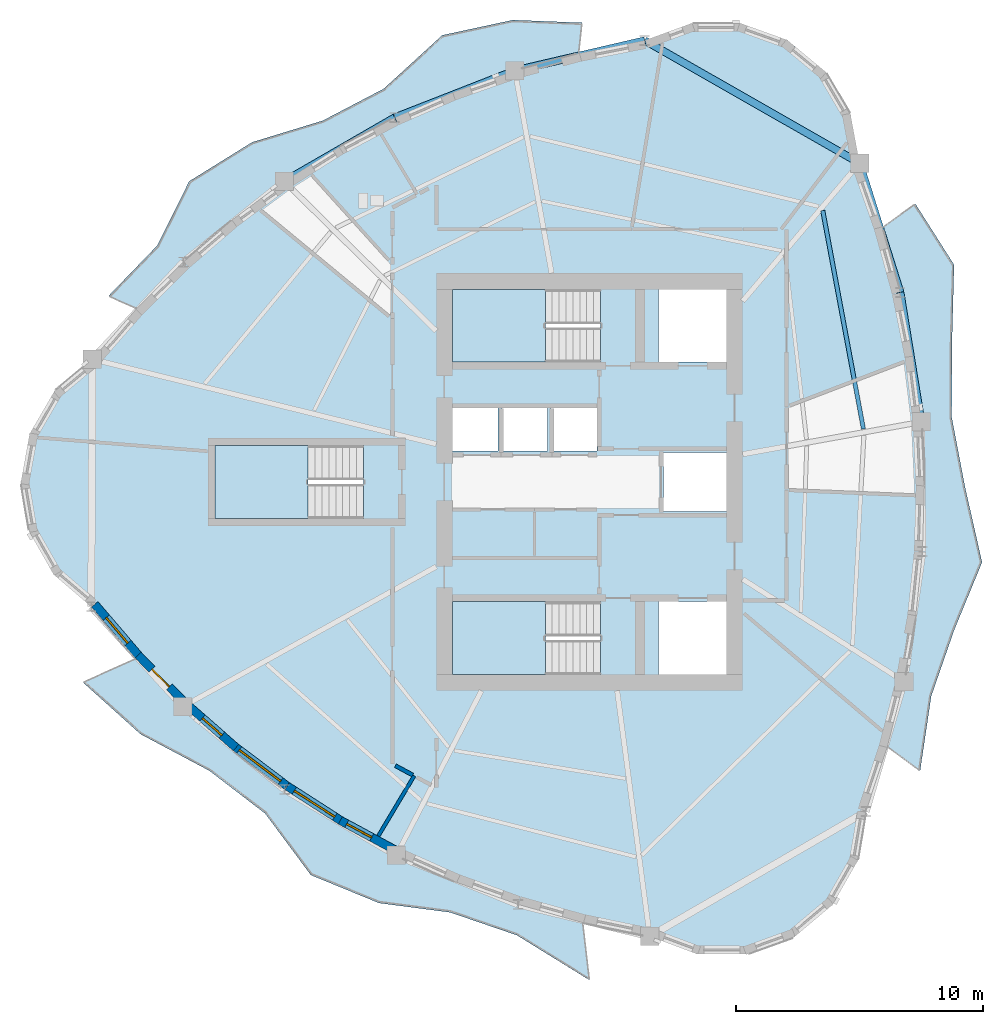
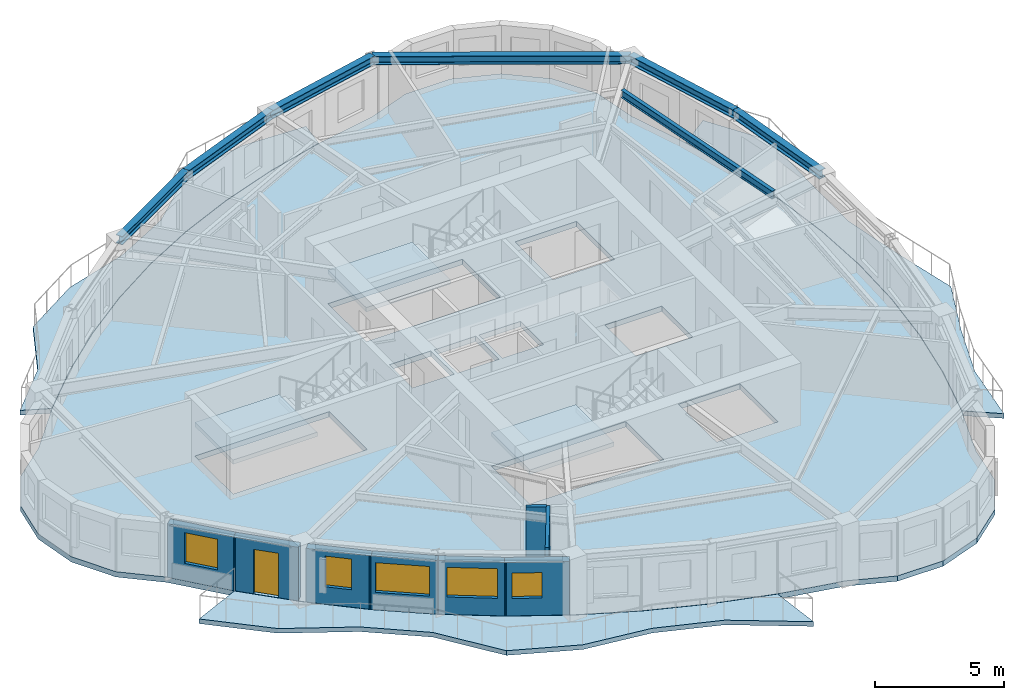
# One storey, part 2 of 11: 8 walls, 7 beams, 7 slabs, 5 windows, 1 door, 6 openings, 3 elements without a shape of their own.
"""IFC4 building model written with IfcOpenShell, lengths in metres."""

from ifc_helpers import new_model, si_unit, direction, frame, frame_2d, origin, origin_2d, place, context, subcontext, project, spatial, polyline, rectangle, i_section, outline, extrude, source, transform, mapped, material, layer, layer_set, material_profile, profile_set, type_object, element, fill, aggregate, save


model = new_model("IFC4")

# Units and contexts
model_context = context("Model", 3, precision=1e-05, world=origin(), true_north=direction((0.0, 1.0)))
body_context = subcontext(model_context, "Body", "Model", "MODEL_VIEW")
ifc_project = project(units=[si_unit("LENGTHUNIT", "METRE"), si_unit("AREAUNIT", "SQUARE_METRE"), si_unit("VOLUMEUNIT", "CUBIC_METRE"), si_unit("PLANEANGLEUNIT", "RADIAN"), si_unit("MASSUNIT", "GRAM", prefix="KILO")], contexts=[model_context])

# Site, building, storey
site_placement = place(None, origin())
site = spatial("IfcSite", under=ifc_project, at=site_placement, CompositionType="ELEMENT")
building_placement = place(site_placement, origin())
building = spatial("IfcBuilding", under=site, at=building_placement, Name="Qafzar Sky-Pleat Residences", CompositionType="ELEMENT")
storey_placement = place(building_placement, frame((0.0, 0.0, 168.199951171875)))
storey = spatial("IfcBuildingStorey", under=building, at=storey_placement, Name="L50", CompositionType="ELEMENT", Elevation=168.199951171875)

# Beams
ifc_material_1 = material(Name="Steel S355", Category="steel")
ifc_material_profile_1 = material_profile(ifc_material_1, i_section(OverallWidth=0.300048828125, OverallDepth=0.39990234375, WebThickness=0.013427734375, FlangeThickness=0.02392578125, FilletRadius=0.027099609375, at=origin_2d()), Name="HEB 400")
ifc_profile_set_1 = profile_set([ifc_material_profile_1], Name="Steel S355")
beam_type_1 = type_object("IfcBeamType", Name="BM-SPAN-HEB400", PredefinedType="SPANDREL", material=ifc_profile_set_1)
shared_shape_1 = source(origin(), body_context, "Body", "SweptSolid", [
    extrude(i_section(OverallWidth=0.300048828125, OverallDepth=0.39990234375, WebThickness=0.013427734375, FlangeThickness=0.02392578125, FilletRadius=0.027099609375, at=origin_2d()), origin(), (0.0, 0.0, 1.0), 10.017578125),
])
beam_1_placement = place(storey_placement, frame((41.28369140625, 38.907470703125, 2.748046875), z_axis=(-0.868435045366, 0.495802956809, 0.0), x_axis=(-0.495802956809, -0.868435045366, 0.0)))
element("IfcBeam", 1, at=beam_1_placement, inside=storey, type_object=beam_type_1, Name="L50 Perimeter Spandrel Beam 13", PredefinedType="SPANDREL", context=body_context, shape_type="MappedRepresentation", body=[
    mapped(shared_shape_1, transform((0.0, 0.0, 0.0), x_axis=(1.0, 0.0, 0.0), y_axis=(0.0, 1.0, 0.0), z_axis=(0.0, 0.0, 1.0), scale=1.0)),
])
shared_shape_2 = source(origin(), body_context, "Body", "SweptSolid", [
    extrude(i_section(OverallWidth=0.300048828125, OverallDepth=0.39990234375, WebThickness=0.013427734375, FlangeThickness=0.02392578125, FilletRadius=0.027099609375, at=origin_2d()), origin(), (0.0, 0.0, 1.0), 5.3115234375),
])
beam_2_placement = place(storey_placement, frame((43.77978515625, 28.428955078125, 2.748046875), z_axis=(-0.159820586454, 0.987146078423, 0.0), x_axis=(-0.987146078423, -0.159820586454, 0.0)))
element("IfcBeam", 2, at=beam_2_placement, inside=storey, type_object=beam_type_1, Name="L50 Perimeter Spandrel Beam 11", PredefinedType="SPANDREL", context=body_context, shape_type="MappedRepresentation", body=[
    mapped(shared_shape_2, transform((0.0, 0.0, 0.0), x_axis=(1.0, 0.0, 0.0), y_axis=(0.0, 1.0, 0.0), z_axis=(0.0, 0.0, 1.0), scale=1.0)),
])
shared_shape_3 = source(origin(), body_context, "Body", "SweptSolid", [
    extrude(i_section(OverallWidth=0.300048828125, OverallDepth=0.39990234375, WebThickness=0.013427734375, FlangeThickness=0.02392578125, FilletRadius=0.027099609375, at=origin_2d()), origin(), (0.0, 0.0, 1.0), 5.48828125),
])
beam_3_placement = place(storey_placement, frame((42.930908203125, 33.672119140625, 2.748046875), z_axis=(-0.300128479556, 0.953898786958, 0.0), x_axis=(-0.953898786958, -0.300128479556, 0.0)))
element("IfcBeam", 3, at=beam_3_placement, inside=storey, type_object=beam_type_1, Name="L50 Perimeter Spandrel Beam 12", PredefinedType="SPANDREL", context=body_context, shape_type="MappedRepresentation", body=[
    mapped(shared_shape_3, transform((0.0, 0.0, 0.0), x_axis=(1.0, 0.0, 0.0), y_axis=(0.0, 1.0, 0.0), z_axis=(0.0, 0.0, 1.0), scale=1.0)),
])
shared_shape_4 = source(origin(), body_context, "Body", "SweptSolid", [
    extrude(i_section(OverallWidth=0.300048828125, OverallDepth=0.39990234375, WebThickness=0.013427734375, FlangeThickness=0.02392578125, FilletRadius=0.027099609375, at=origin_2d()), origin(), (0.0, 0.0, 1.0), 5.39599609375),
])
beam_4_placement = place(storey_placement, frame((32.583984375, 43.874267578125, 2.748046875), z_axis=(-0.974013133864, -0.226491534194, 0.0), x_axis=(0.226491534194, -0.974013133864, 0.0)))
element("IfcBeam", 4, at=beam_4_placement, inside=storey, type_object=beam_type_1, Name="L50 Perimeter Spandrel Beam 14", PredefinedType="SPANDREL", context=body_context, shape_type="MappedRepresentation", body=[
    mapped(shared_shape_4, transform((0.0, 0.0, 0.0), x_axis=(1.0, 0.0, 0.0), y_axis=(0.0, 1.0, 0.0), z_axis=(0.0, 0.0, 1.0), scale=1.0)),
])
shared_shape_5 = source(origin(), body_context, "Body", "SweptSolid", [
    extrude(i_section(OverallWidth=0.300048828125, OverallDepth=0.39990234375, WebThickness=0.013427734375, FlangeThickness=0.02392578125, FilletRadius=0.027099609375, at=origin_2d()), origin(), (0.0, 0.0, 1.0), 5.22216796875),
])
beam_5_placement = place(storey_placement, frame((27.328125, 42.652099609375, 2.748046875), z_axis=(-0.931324838412, -0.364189573376, 0.0), x_axis=(0.364189573376, -0.931324838412, 0.0)))
element("IfcBeam", 5, at=beam_5_placement, inside=storey, type_object=beam_type_1, Name="L50 Perimeter Spandrel Beam 15", PredefinedType="SPANDREL", context=body_context, shape_type="MappedRepresentation", body=[
    mapped(shared_shape_5, transform((0.0, 0.0, 0.0), x_axis=(1.0, 0.0, 0.0), y_axis=(0.0, 1.0, 0.0), z_axis=(0.0, 0.0, 1.0), scale=1.0)),
])
shared_shape_6 = source(origin(), body_context, "Body", "SweptSolid", [
    extrude(i_section(OverallWidth=0.300048828125, OverallDepth=0.39990234375, WebThickness=0.013427734375, FlangeThickness=0.02392578125, FilletRadius=0.027099609375, at=origin_2d()), origin(), (0.0, 0.0, 1.0), 5.162841796875),
])
beam_6_placement = place(storey_placement, frame((22.464599609375, 40.750244140625, 2.748046875), z_axis=(-0.866005243274, -0.500034917402, 0.0), x_axis=(0.500034917402, -0.866005243274, 0.0)))
element("IfcBeam", 6, at=beam_6_placement, inside=storey, type_object=beam_type_1, Name="L50 Perimeter Spandrel Beam 16", PredefinedType="SPANDREL", context=body_context, shape_type="MappedRepresentation", body=[
    mapped(shared_shape_6, transform((0.0, 0.0, 0.0), x_axis=(1.0, 0.0, 0.0), y_axis=(0.0, 1.0, 0.0), z_axis=(0.0, 0.0, 1.0), scale=1.0)),
])
ifc_material_profile_2 = material_profile(ifc_material_1, i_section(OverallWidth=0.169921875, OverallDepth=0.360107421875, WebThickness=0.008056640625, FlangeThickness=0.0126953125, FilletRadius=0.01806640625, at=origin_2d()), Name="IPE 360")
ifc_profile_set_2 = profile_set([ifc_material_profile_2], Name="Steel S355")
beam_type_2 = type_object("IfcBeamType", Name="BM-JST-IPE360", PredefinedType="JOIST", material=ifc_profile_set_2)
shared_shape_7 = source(origin(), body_context, "Body", "SweptSolid", [
    extrude(i_section(OverallWidth=0.169921875, OverallDepth=0.360107421875, WebThickness=0.008056640625, FlangeThickness=0.0126953125, FilletRadius=0.01806640625, at=origin_2d()), origin(), (0.0, 0.0, 1.0), 8.995361328125),
])
beam_7_placement = place(storey_placement, frame((41.44140625, 28.143310546875, 2.76806640625), z_axis=(-0.183170844202, 0.983081096265, 0.0), x_axis=(-0.983081096265, -0.183170844202, 0.0)))
element("IfcBeam", 7, at=beam_7_placement, inside=storey, type_object=beam_type_2, Name="L50 Outer Secondary Floor Joist 6", PredefinedType="JOIST", context=body_context, shape_type="MappedRepresentation", body=[
    mapped(shared_shape_7, transform((0.0, 0.0, 0.0), x_axis=(1.0, 0.0, 0.0), y_axis=(0.0, 1.0, 0.0), z_axis=(0.0, 0.0, 1.0), scale=1.0)),
])

# Slabs
ifc_material_2 = material(Name="Concrete C40/50", Category="concrete")
ifc_layer_1 = layer(ifc_material_2, 0.219970703125)
ifc_layer_set_1 = layer_set([ifc_layer_1], Name="Concrete C40/50")
slab_type_1 = type_object("IfcSlabType", Name="SLAB-BAL-220", PredefinedType="USERDEFINED", material=ifc_layer_set_1)
slab_1_placement = place(storey_placement, frame((0.0, 0.0, -0.219970703125)))
element("IfcSlab", 8, at=slab_1_placement, inside=storey, type_object=slab_type_1, Name="L50 Pleated Stone Balcony 1", ObjectType="BALCONY", PredefinedType="USERDEFINED", context=body_context, shape_type="SweptSolid", body=[
    extrude(outline(polyline([(43.093994140625, 17.913818359375), (43.568115234375, 20.545654296875), (43.842529296875, 23.17578125), (43.9169921875, 25.80419921875), (43.791748046875, 28.4306640625), (43.466552734375, 31.05517578125), (42.94140625, 33.677490234375), (42.216796875, 36.297607421875), (43.543212890625, 37.258544921875), (45.110107421875, 34.791748046875), (45.0234375, 31.56396484375), (45.015380859375, 28.619140625), (45.554931640625, 25.7841796875), (46.24267578125, 22.748046875), (45.114013671875, 20.004150390625), (44.185302734375, 17.3291015625), (43.734619140625, 14.302734375), (42.420166015625, 15.280029296875), (43.093994140625, 17.913818359375)])), origin(), (0.0, 0.0, 1.0), 0.219970703125),
])
slab_2_placement = place(storey_placement, frame((0.0, 0.0, -0.219970703125)))
element("IfcSlab", 9, at=slab_2_placement, inside=storey, type_object=slab_type_1, Name="L50 Pleated Stone Balcony 2", ObjectType="BALCONY", PredefinedType="USERDEFINED", context=body_context, shape_type="SweptSolid", body=[
    extrude(outline(polyline([(27.32763671875, 42.6640625), (24.844970703125, 41.7978515625), (22.46044921875, 40.761474609375), (20.174072265625, 39.554931640625), (17.986083984375, 38.177978515625), (15.896240234375, 36.631103515625), (13.90478515625, 34.914306640625), (12.01171875, 33.02734375), (10.87841796875, 33.525390625), (12.8583984375, 35.575927734375), (14.14501953125, 38.16943359375), (16.691650390625, 39.752197265625), (19.55517578125, 40.626953125), (22.025390625, 41.92041015625), (24.388671875, 44.08349609375), (27.24560546875, 44.7001953125), (30.043701171875, 44.590576171875), (29.908203125, 43.35986328125), (27.32763671875, 42.6640625)])), origin(), (0.0, 0.0, 1.0), 0.219970703125),
])
slab_3_placement = place(storey_placement, frame((0.0, 0.0, -0.219970703125)))
element("IfcSlab", 10, at=slab_3_placement, inside=storey, type_object=slab_type_1, Name="L50 Pleated Stone Balcony 3", ObjectType="BALCONY", PredefinedType="USERDEFINED", context=body_context, shape_type="SweptSolid", body=[
    extrude(outline(polyline([(13.88037109375, 16.89892578125), (15.888916015625, 15.13330078125), (17.9990234375, 13.539306640625), (20.2109375, 12.11767578125), (22.5244140625, 10.867919921875), (24.939453125, 9.79052734375), (27.455810546875, 8.885009765625), (30.07373046875, 8.15185546875), (30.3427734375, 5.836669921875), (27.41650390625, 7.647705078125), (24.709716796875, 8.573974609375), (21.8310546875, 8.951416015625), (19.070556640625, 10.0849609375), (17.22412109375, 12.573974609375), (14.96728515625, 14.306396484375), (12.167236328125, 15.794921875), (9.845703125, 17.8857421875), (11.973388671875, 18.8369140625), (13.88037109375, 16.89892578125)])), origin(), (0.0, 0.0, 1.0), 0.219970703125),
])
ifc_layer_2 = layer(ifc_material_2, 0.25)
ifc_layer_set_2 = layer_set([ifc_layer_2], Name="Concrete C40/50")
slab_type_2 = type_object("IfcSlabType", Name="SLAB-FLR-250", PredefinedType="FLOOR", material=ifc_layer_set_2)
slab_4_placement = place(storey_placement, frame((0.0, 0.0, -0.25)))
element("IfcSlab", 11, at=slab_4_placement, inside=storey, type_object=slab_type_2, Name="L50 Structural Floor Slab", PredefinedType="FLOOR", context=body_context, shape_type="SweptSolid", body=[
    extrude(outline(polyline([(10.228515625, 30.96728515625), (8.69140625, 29.6796875), (7.684814453125, 27.945556640625), (7.32861328125, 25.972412109375), (7.66552734375, 23.995849609375), (8.655517578125, 22.252197265625), (10.179931640625, 20.94970703125), (11.984619140625, 18.841796875), (13.890380859375, 16.905517578125), (15.897705078125, 15.14111328125), (18.006591796875, 13.548583984375), (20.216796875, 12.128173828125), (22.528564453125, 10.879150390625), (24.941650390625, 9.80224609375), (27.456298828125, 8.897216796875), (30.072265625, 8.163818359375), (32.789794921875, 7.602294921875), (34.694091796875, 6.8916015625), (36.72705078125, 6.8818359375), (38.63818359375, 7.573974609375), (40.193359375, 8.883056640625), (41.201171875, 10.6484375), (41.5380859375, 12.653076171875), (42.410400390625, 15.287109375), (43.08349609375, 17.91943359375), (43.556884765625, 20.5498046875), (43.830810546875, 23.177978515625), (43.905029296875, 25.804443359375), (43.77978515625, 28.428955078125), (43.455078125, 31.051513671875), (42.930908203125, 33.672119140625), (42.20703125, 36.290771484375), (41.28369140625, 38.907470703125), (40.91796875, 40.87890625), (39.90283203125, 42.60791015625), (38.359619140625, 43.88818359375), (36.47265625, 44.56640625), (34.467529296875, 44.5615234375), (32.583984375, 43.874267578125), (29.906982421875, 43.347900390625), (27.328125, 42.652099609375), (24.847412109375, 41.7861328125), (22.464599609375, 40.750244140625), (20.18017578125, 39.54443359375), (17.99365234375, 38.168701171875), (15.9052734375, 36.623291015625), (13.914794921875, 34.90771484375), (12.022705078125, 33.0224609375), (10.228515625, 30.96728515625)]), holes=[polyline([(30.797119140625, 21.14990234375), (24.800048828125, 21.14990234375), (24.800048828125, 18.199951171875), (30.797119140625, 18.199951171875), (30.797119140625, 21.14990234375)]), polyline([(30.797119140625, 33.800048828125), (24.800048828125, 33.800048828125), (24.800048828125, 30.85009765625), (30.797119140625, 30.85009765625), (30.797119140625, 33.800048828125)]), polyline([(21.197021484375, 27.47509765625), (15.199951171875, 27.47509765625), (15.199951171875, 24.52490234375), (21.197021484375, 24.52490234375), (21.197021484375, 27.47509765625)]), polyline([(24.800048828125, 27.25), (26.64990234375, 27.25), (26.64990234375, 29.050048828125), (24.800048828125, 29.050048828125), (24.800048828125, 27.25)]), polyline([(26.800048828125, 27.25), (28.64990234375, 27.25), (28.64990234375, 29.050048828125), (26.800048828125, 29.050048828125), (26.800048828125, 27.25)]), polyline([(28.800048828125, 27.25), (30.64990234375, 27.25), (30.64990234375, 29.050048828125), (28.800048828125, 29.050048828125), (28.800048828125, 27.25)]), polyline([(33.14990234375, 18.199951171875), (35.89990234375, 18.199951171875), (35.89990234375, 21.14990234375), (33.14990234375, 21.14990234375), (33.14990234375, 18.199951171875)]), polyline([(33.14990234375, 30.85009765625), (35.89990234375, 30.85009765625), (35.89990234375, 33.800048828125), (33.14990234375, 33.800048828125), (33.14990234375, 30.85009765625)]), polyline([(33.35009765625, 24.800048828125), (35.89990234375, 24.800048828125), (35.89990234375, 27.199951171875), (33.35009765625, 27.199951171875), (33.35009765625, 24.800048828125)])]), origin(), (0.0, 0.0, 1.0), 0.25),
])

# Stair, slab
stair_type = type_object("IfcStairType", Name="STAIR-H320", PredefinedType="HALF_TURN_STAIR", material=ifc_material_2)
stair_1_placement = place(storey_placement, origin())
stair_1 = element("IfcStair", 12, at=stair_1_placement, inside=storey, type_object=stair_type, Name="L50 Protected Exit Stair ST1", PredefinedType="HALF_TURN_STAIR")
ifc_layer_3 = layer(ifc_material_2, 0.199951171875)
ifc_layer_set_3 = layer_set([ifc_layer_3], Name="Concrete C40/50")
slab_type_3 = type_object("IfcSlabType", Name="SLAB-LANDING-200", PredefinedType="LANDING", material=ifc_layer_set_3)
slab_5_placement = place(storey_placement, frame((0.0, 0.0, 1.400146484375)))
slab_5 = element("IfcSlab", 13, at=slab_5_placement, type_object=slab_type_3, Name="ST1 landing 1", PredefinedType="LANDING", context=body_context, shape_type="SweptSolid", body=[
    extrude(outline(polyline([(28.56005859375, 21.14990234375), (24.800048828125, 21.14990234375), (24.800048828125, 18.199951171875), (28.56005859375, 18.199951171875), (28.56005859375, 21.14990234375)])), origin(), (0.0, 0.0, 1.0), 0.199951171875),
])
aggregate(stair_1, [slab_5])

stair_2_placement = place(storey_placement, origin())
stair_2 = element("IfcStair", 14, at=stair_2_placement, inside=storey, type_object=stair_type, Name="L50 Protected Exit Stair ST2", PredefinedType="HALF_TURN_STAIR")
slab_6_placement = place(storey_placement, frame((0.0, 0.0, 1.400146484375)))
slab_6 = element("IfcSlab", 15, at=slab_6_placement, type_object=slab_type_3, Name="ST2 landing 1", PredefinedType="LANDING", context=body_context, shape_type="SweptSolid", body=[
    extrude(outline(polyline([(28.56005859375, 33.800048828125), (24.800048828125, 33.800048828125), (24.800048828125, 30.85009765625), (28.56005859375, 30.85009765625), (28.56005859375, 33.800048828125)])), origin(), (0.0, 0.0, 1.0), 0.199951171875),
])
aggregate(stair_2, [slab_6])

stair_3_placement = place(storey_placement, origin())
stair_3 = element("IfcStair", 16, at=stair_3_placement, inside=storey, type_object=stair_type, Name="L50 Protected Exit Stair ST3", PredefinedType="HALF_TURN_STAIR")
slab_7_placement = place(storey_placement, frame((0.0, 0.0, 1.400146484375)))
slab_7 = element("IfcSlab", 17, at=slab_7_placement, type_object=slab_type_3, Name="ST3 landing 1", PredefinedType="LANDING", context=body_context, shape_type="SweptSolid", body=[
    extrude(outline(polyline([(18.9599609375, 27.47509765625), (15.199951171875, 27.47509765625), (15.199951171875, 24.52490234375), (18.9599609375, 24.52490234375), (18.9599609375, 27.47509765625)])), origin(), (0.0, 0.0, 1.0), 0.199951171875),
])
aggregate(stair_3, [slab_7])

# Walls
ifc_material_3 = material(Name="Acoustic gypsum plasterboard partition", Category="gypsum")
ifc_layer_4 = layer(ifc_material_3, 0.159912109375)
ifc_layer_set_4 = layer_set([ifc_layer_4], Name="Acoustic gypsum plasterboard partition")
wall_type_1 = type_object("IfcWallType", Name="PART-COR-160", PredefinedType="PARTITIONING", material=ifc_layer_set_4)
wall_1_placement = place(storey_placement, frame((22.4951171875, 14.511474609375, 0.0), z_axis=(0.0, 0.0, 1.0), x_axis=(0.880144682908, -0.474705526773, 0.0)))
element("IfcWall", 18, at=wall_1_placement, inside=storey, type_object=wall_type_1, Name="L50 Partition Wall PART-L50-PW-026", PredefinedType="PARTITIONING", context=body_context, shape_type="SweptSolid", body=[
    extrude(rectangle(XDim=0.79296875, YDim=0.159912109375, at=frame_2d((0.396484375, 0.0))), origin(), (0.0, 0.0, 1.0), 2.949951171875),
])
ifc_layer_5 = layer(ifc_material_3, 0.14501953125)
ifc_layer_set_5 = layer_set([ifc_layer_5], Name="Acoustic gypsum plasterboard partition")
wall_type_2 = type_object("IfcWallType", Name="PART-UNIT-145", PredefinedType="PARTITIONING", material=ifc_layer_set_5)
wall_2_placement = place(storey_placement, frame((21.8037109375, 11.669921875, 0.0), z_axis=(0.0, 0.0, 1.0), x_axis=(0.512135491123, 0.858904673833, 0.0)))
element("IfcWall", 19, at=wall_2_placement, inside=storey, type_object=wall_type_2, Name="L50 Partition Wall PART-L50-PW-020", PredefinedType="PARTITIONING", context=body_context, shape_type="SweptSolid", body=[
    extrude(rectangle(XDim=2.83154296875, YDim=0.14501953125, at=frame_2d((1.415771484375, 0.0))), origin(), (0.0, 0.0, 1.0), 2.949951171875),
])

# Wall, opening, window
ifc_material_4 = material(Name="Precast concrete C40/50 with honed Riyadh limestone", Category="concrete")
ifc_layer_6 = layer(ifc_material_4, 0.340087890625)
ifc_layer_set_6 = layer_set([ifc_layer_6], Name="Precast concrete C40/50 with honed Riyadh limestone")
wall_type_3 = type_object("IfcWallType", Name="WALL-EXT-340", PredefinedType="SOLIDWALL", material=ifc_layer_set_6)
wall_3_placement = place(storey_placement, frame((10.322265625, 21.045166015625, 0.0), z_axis=(0.0, 0.0, 1.0), x_axis=(0.650265710861, -0.759706854832, 0.0)))
wall_3 = element("IfcWall", 20, at=wall_3_placement, inside=storey, type_object=wall_type_3, Name="L50 Limestone Facade Wall 7", PredefinedType="SOLIDWALL", context=body_context, shape_type="SweptSolid", body=[
    extrude(rectangle(XDim=2.79296875, YDim=0.340087890625, at=frame_2d((1.396484375, 0.0))), origin(), (0.0, 0.0, 1.0), 2.530029296875),
])
opening_1_placement = place(wall_3_placement, frame((0.71142578125, 0.0, 0.820068359375)))
opening_1 = element("IfcOpeningElement", 21, at=opening_1_placement, cuts=wall_3, Name="Opening WN-04", PredefinedType="OPENING", context=body_context, shape_type="SweptSolid", body=[
    extrude(rectangle(XDim=1.35009765625, YDim=1.449951171875, at=frame_2d((0.675048828125, 0.72509765625))), frame((0.0, 0.18017578125, 0.0), z_axis=(0.0, -1.0, 0.0), x_axis=(1.0, 0.0, 0.0)), (0.0, 0.0, 1.0), 0.360107421875),
])
ifc_material_5 = material(Name="Solar-control low-E glass in bronze aluminium frame", Category="glass")
window_type_1 = type_object("IfcWindowType", Name="WIN-04", PartitioningType="SINGLE_PANEL", PredefinedType="WINDOW", material=ifc_material_5)
shared_shape_8 = source(origin(), body_context, "Body", "SweptSolid", [
    extrude(rectangle(XDim=1.35009765625, YDim=1.449951171875, at=frame_2d((0.675048828125, 0.72509765625))), frame((0.0, 0.030029296875, 0.0), z_axis=(0.0, -1.0, 0.0), x_axis=(1.0, 0.0, 0.0)), (0.0, 0.0, 1.0), 0.06005859375),
])
window_1_placement = place(opening_1_placement, origin())
window_1 = element("IfcWindow", 22, at=window_1_placement, inside=storey, type_object=window_type_1, Name="L50 Punched Facade Window 07", OverallHeight=1.449951171875, OverallWidth=1.35009765625, PartitioningType="SINGLE_PANEL", PredefinedType="WINDOW", context=body_context, shape_type="MappedRepresentation", body=[
    mapped(shared_shape_8, transform((0.0, 0.0, 0.0), x_axis=(1.0, 0.0, 0.0), y_axis=(0.0, 1.0, 0.0), z_axis=(0.0, 0.0, 1.0), scale=1.0)),
])
fill(opening_1, window_1)

# Wall, opening, door
wall_4_placement = place(storey_placement, frame((12.0791015625, 18.988037109375, 0.0), z_axis=(0.0, 0.0, 1.0), x_axis=(0.701497143461, -0.712672265291, 0.0)))
wall_4 = element("IfcWall", 23, at=wall_4_placement, inside=storey, type_object=wall_type_3, Name="L50 Limestone Facade Wall 8", PredefinedType="SOLIDWALL", context=body_context, shape_type="SweptSolid", body=[
    extrude(rectangle(XDim=2.599853515625, YDim=0.340087890625, at=frame_2d((1.2998046875, 0.0))), origin(), (0.0, 0.0, 1.0), 2.530029296875),
])
opening_2_placement = place(wall_4_placement, frame((0.7998046875, 0.0, 0.0)))
opening_2 = element("IfcOpeningElement", 24, at=opening_2_placement, cuts=wall_4, Name="Opening ED-05", PredefinedType="OPENING", context=body_context, shape_type="SweptSolid", body=[
    extrude(rectangle(XDim=1.0, YDim=2.10009765625, at=frame_2d((0.5, 1.050048828125))), frame((0.0, 0.18017578125, 0.0), z_axis=(0.0, -1.0, 0.0), x_axis=(1.0, 0.0, 0.0)), (0.0, 0.0, 1.0), 0.360107421875),
])
ifc_material_6 = material(Name="Glazed bronze aluminium door", Category="aluminium")
door_type = type_object("IfcDoorType", Name="DR-BAL-1000", OperationType="NOTDEFINED", PredefinedType="DOOR", material=ifc_material_6)
shared_shape_9 = source(origin(), body_context, "Body", "SweptSolid", [
    extrude(rectangle(XDim=1.0, YDim=2.10009765625, at=frame_2d((0.5, 1.050048828125))), frame((0.0, 0.02490234375, 0.0), z_axis=(0.0, -1.0, 0.0), x_axis=(1.0, 0.0, 0.0)), (0.0, 0.0, 1.0), 0.050048828125),
])
door_placement = place(opening_2_placement, origin())
door = element("IfcDoor", 25, at=door_placement, inside=storey, type_object=door_type, Name="L50 Glazed Balcony Door 3", OperationType="SINGLE_SWING_LEFT", OverallHeight=2.10009765625, OverallWidth=1.0, PredefinedType="DOOR", context=body_context, shape_type="MappedRepresentation", body=[
    mapped(shared_shape_9, transform((0.0, 0.0, 0.0), x_axis=(1.0, 0.0, 0.0), y_axis=(0.0, 1.0, 0.0), z_axis=(0.0, 0.0, 1.0), scale=1.0)),
])
fill(opening_2, door)

# Wall, opening, window
wall_5_placement = place(storey_placement, frame((14.119140625, 16.930908203125, 0.0), z_axis=(0.0, 0.0, 1.0), x_axis=(0.751118959237, -0.660166879716, 0.0)))
wall_5 = element("IfcWall", 26, at=wall_5_placement, inside=storey, type_object=wall_type_3, Name="L50 Limestone Facade Wall 9", PredefinedType="SOLIDWALL", context=body_context, shape_type="SweptSolid", body=[
    extrude(rectangle(XDim=2.555419921875, YDim=0.340087890625, at=frame_2d((1.27783203125, 0.0))), origin(), (0.0, 0.0, 1.0), 2.530029296875),
])
opening_3_placement = place(wall_5_placement, frame((0.747802734375, 0.0, 0.820068359375)))
opening_3 = element("IfcOpeningElement", 27, at=opening_3_placement, cuts=wall_5, Name="Opening WN-06", PredefinedType="OPENING", context=body_context, shape_type="SweptSolid", body=[
    extrude(rectangle(XDim=1.050048828125, YDim=1.449951171875, at=frame_2d((0.52490234375, 0.72509765625))), frame((0.0, 0.18017578125, 0.0), z_axis=(0.0, -1.0, 0.0), x_axis=(1.0, 0.0, 0.0)), (0.0, 0.0, 1.0), 0.360107421875),
])
window_type_2 = type_object("IfcWindowType", Name="WIN-06", PartitioningType="SINGLE_PANEL", PredefinedType="WINDOW", material=ifc_material_5)
shared_shape_10 = source(origin(), body_context, "Body", "SweptSolid", [
    extrude(rectangle(XDim=1.050048828125, YDim=1.449951171875, at=frame_2d((0.52490234375, 0.72509765625))), frame((0.0, 0.030029296875, 0.0), z_axis=(0.0, -1.0, 0.0), x_axis=(1.0, 0.0, 0.0)), (0.0, 0.0, 1.0), 0.06005859375),
])
window_2_placement = place(opening_3_placement, origin())
window_2 = element("IfcWindow", 28, at=window_2_placement, inside=storey, type_object=window_type_2, Name="L50 Punched Facade Window 09", OverallHeight=1.449951171875, OverallWidth=1.050048828125, PartitioningType="SINGLE_PANEL", PredefinedType="WINDOW", context=body_context, shape_type="MappedRepresentation", body=[
    mapped(shared_shape_10, transform((0.0, 0.0, 0.0), x_axis=(1.0, 0.0, 0.0), y_axis=(0.0, 1.0, 0.0), z_axis=(0.0, 0.0, 1.0), scale=1.0)),
])
fill(opening_3, window_2)

wall_6_placement = place(storey_placement, frame((15.969970703125, 15.2998046875, 0.0), z_axis=(0.0, 0.0, 1.0), x_axis=(0.797969316041, -0.602698075869, 0.0)))
wall_6 = element("IfcWall", 29, at=wall_6_placement, inside=storey, type_object=wall_type_3, Name="L50 Limestone Facade Wall 10", PredefinedType="SOLIDWALL", context=body_context, shape_type="SweptSolid", body=[
    extrude(rectangle(XDim=2.66064453125, YDim=0.340087890625, at=frame_2d((1.330322265625, 0.0))), origin(), (0.0, 0.0, 1.0), 2.530029296875),
])
opening_4_placement = place(wall_6_placement, frame((0.250244140625, 0.0, 0.820068359375)))
opening_4 = element("IfcOpeningElement", 30, at=opening_4_placement, cuts=wall_6, Name="Opening WN-07", PredefinedType="OPENING", context=body_context, shape_type="SweptSolid", body=[
    extrude(rectangle(XDim=2.10009765625, YDim=1.39990234375, at=frame_2d((1.050048828125, 0.699951171875))), frame((0.0, 0.18017578125, 0.0), z_axis=(0.0, -1.0, 0.0), x_axis=(1.0, 0.0, 0.0)), (0.0, 0.0, 1.0), 0.360107421875),
])
window_type_3 = type_object("IfcWindowType", Name="WIN-07", PartitioningType="DOUBLE_PANEL_VERTICAL", PredefinedType="WINDOW", material=ifc_material_5)
shared_shape_11 = source(origin(), body_context, "Body", "SweptSolid", [
    extrude(rectangle(XDim=2.10009765625, YDim=1.39990234375, at=frame_2d((1.050048828125, 0.699951171875))), frame((0.0, 0.030029296875, 0.0), z_axis=(0.0, -1.0, 0.0), x_axis=(1.0, 0.0, 0.0)), (0.0, 0.0, 1.0), 0.06005859375),
])
window_3_placement = place(opening_4_placement, origin())
window_3 = element("IfcWindow", 31, at=window_3_placement, inside=storey, type_object=window_type_3, Name="L50 Punched Facade Window 10", OverallHeight=1.39990234375, OverallWidth=2.10009765625, PartitioningType="SINGLE_PANEL", PredefinedType="WINDOW", context=body_context, shape_type="MappedRepresentation", body=[
    mapped(shared_shape_11, transform((0.0, 0.0, 0.0), x_axis=(1.0, 0.0, 0.0), y_axis=(0.0, 1.0, 0.0), z_axis=(0.0, 0.0, 1.0), scale=1.0)),
])
fill(opening_4, window_3)

wall_7_placement = place(storey_placement, frame((18.115234375, 13.680908203125, 0.0), z_axis=(0.0, 0.0, 1.0), x_axis=(0.841232440507, -0.540673636346, 0.0)))
wall_7 = element("IfcWall", 32, at=wall_7_placement, inside=storey, type_object=wall_type_3, Name="L50 Limestone Facade Wall 11", PredefinedType="SOLIDWALL", context=body_context, shape_type="SweptSolid", body=[
    extrude(rectangle(XDim=2.6455078125, YDim=0.340087890625, at=frame_2d((1.32275390625, 0.0))), origin(), (0.0, 0.0, 1.0), 2.530029296875),
])
opening_5_placement = place(wall_7_placement, frame((0.337646484375, 0.0, 0.820068359375)))
opening_5 = element("IfcOpeningElement", 33, at=opening_5_placement, cuts=wall_7, Name="Opening WN-08", PredefinedType="OPENING", context=body_context, shape_type="SweptSolid", body=[
    extrude(rectangle(XDim=1.949951171875, YDim=1.39990234375, at=frame_2d((0.97509765625, 0.699951171875))), frame((0.0, 0.18017578125, 0.0), z_axis=(0.0, -1.0, 0.0), x_axis=(1.0, 0.0, 0.0)), (0.0, 0.0, 1.0), 0.360107421875),
])
window_type_4 = type_object("IfcWindowType", Name="WIN-08", PartitioningType="DOUBLE_PANEL_VERTICAL", PredefinedType="WINDOW", material=ifc_material_5)
shared_shape_12 = source(origin(), body_context, "Body", "SweptSolid", [
    extrude(rectangle(XDim=1.949951171875, YDim=1.39990234375, at=frame_2d((0.97509765625, 0.699951171875))), frame((0.0, 0.030029296875, 0.0), z_axis=(0.0, -1.0, 0.0), x_axis=(1.0, 0.0, 0.0)), (0.0, 0.0, 1.0), 0.06005859375),
])
window_4_placement = place(opening_5_placement, origin())
window_4 = element("IfcWindow", 34, at=window_4_placement, inside=storey, type_object=window_type_4, Name="L50 Punched Facade Window 11", OverallHeight=1.39990234375, OverallWidth=1.949951171875, PartitioningType="SINGLE_PANEL", PredefinedType="WINDOW", context=body_context, shape_type="MappedRepresentation", body=[
    mapped(shared_shape_12, transform((0.0, 0.0, 0.0), x_axis=(1.0, 0.0, 0.0), y_axis=(0.0, 1.0, 0.0), z_axis=(0.0, 0.0, 1.0), scale=1.0)),
])
fill(opening_5, window_4)

wall_8_placement = place(storey_placement, frame((20.264404296875, 12.295654296875, 0.0), z_axis=(0.0, 0.0, 1.0), x_axis=(0.879776875652, -0.475386841497, 0.0)))
wall_8 = element("IfcWall", 35, at=wall_8_placement, inside=storey, type_object=wall_type_3, Name="L50 Limestone Facade Wall 12", PredefinedType="SOLIDWALL", context=body_context, shape_type="SweptSolid", body=[
    extrude(rectangle(XDim=2.51025390625, YDim=0.340087890625, at=frame_2d((1.255126953125, 0.0))), origin(), (0.0, 0.0, 1.0), 2.530029296875),
])
opening_6_placement = place(wall_8_placement, frame((0.29052734375, 0.0, 0.820068359375)))
opening_6 = element("IfcOpeningElement", 36, at=opening_6_placement, cuts=wall_8, Name="Opening WN-16", PredefinedType="OPENING", context=body_context, shape_type="SweptSolid", body=[
    extrude(rectangle(XDim=1.14990234375, YDim=1.199951171875, at=frame_2d((0.574951171875, 0.60009765625))), frame((0.0, 0.18017578125, 0.0), z_axis=(0.0, -1.0, 0.0), x_axis=(1.0, 0.0, 0.0)), (0.0, 0.0, 1.0), 0.360107421875),
])
window_type_5 = type_object("IfcWindowType", Name="WIN-16", PartitioningType="SINGLE_PANEL", PredefinedType="WINDOW", material=ifc_material_5)
shared_shape_13 = source(origin(), body_context, "Body", "SweptSolid", [
    extrude(rectangle(XDim=1.14990234375, YDim=1.199951171875, at=frame_2d((0.574951171875, 0.60009765625))), frame((0.0, 0.030029296875, 0.0), z_axis=(0.0, -1.0, 0.0), x_axis=(1.0, 0.0, 0.0)), (0.0, 0.0, 1.0), 0.06005859375),
])
window_5_placement = place(opening_6_placement, origin())
window_5 = element("IfcWindow", 37, at=window_5_placement, inside=storey, type_object=window_type_5, Name="L50 Punched Facade Window 12", OverallHeight=1.199951171875, OverallWidth=1.14990234375, PartitioningType="SINGLE_PANEL", PredefinedType="WINDOW", context=body_context, shape_type="MappedRepresentation", body=[
    mapped(shared_shape_13, transform((0.0, 0.0, 0.0), x_axis=(1.0, 0.0, 0.0), y_axis=(0.0, 1.0, 0.0), z_axis=(0.0, 0.0, 1.0), scale=1.0)),
])
fill(opening_6, window_5)

save(model, "model.ifc")
